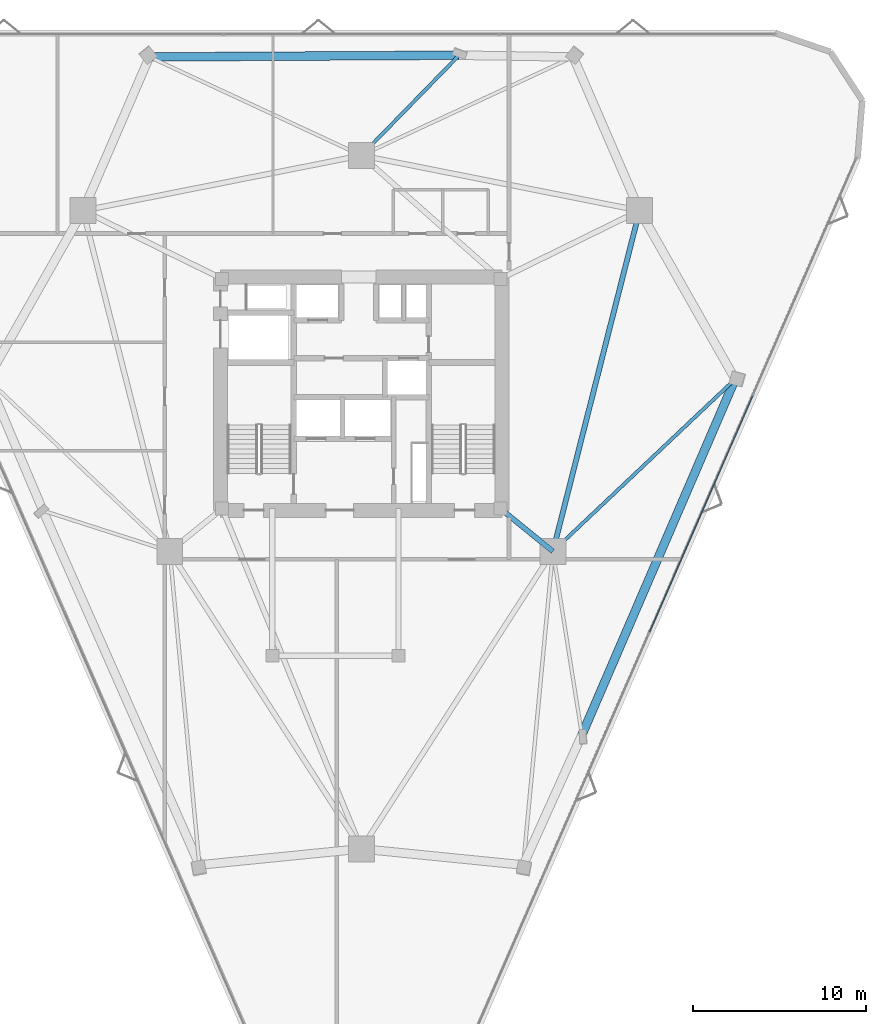
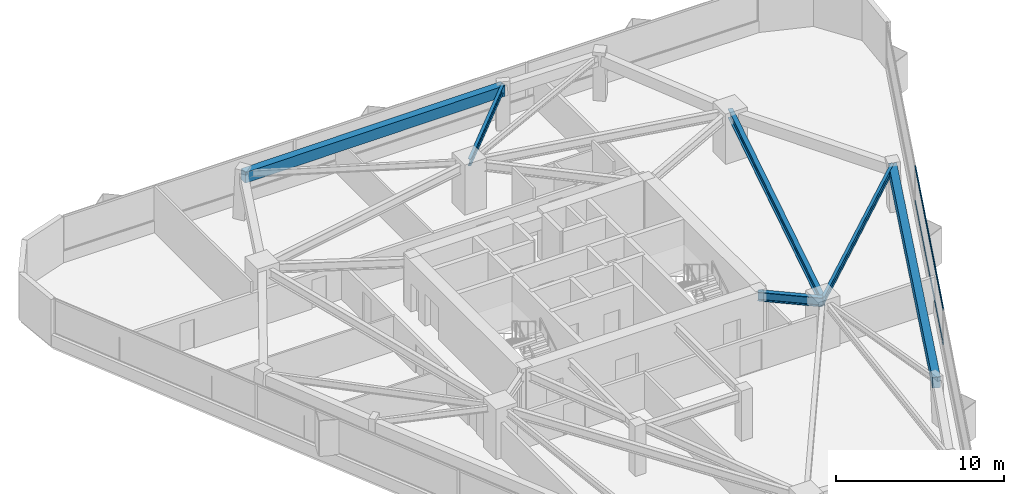
# One storey, part 6 of 14: 6 beams, 2 members, 1 element without a shape of its own.
"""IFC4 building model written with IfcOpenShell, lengths in metres."""

from ifc_helpers import new_model, si_unit, direction, frame, origin, origin_2d, place, context, subcontext, project, spatial, rectangle, i_section, extrude, material, layer, layer_set, material_profile, profile_set, type_object, element, aggregate, save


model = new_model("IFC4")

# Units and contexts
model_context = context("Model", 3, precision=1e-05, world=origin(), true_north=direction((0.0, 1.0)))
body_context = subcontext(model_context, "Body", "Model", "MODEL_VIEW")
ifc_project = project(units=[si_unit("LENGTHUNIT", "METRE"), si_unit("AREAUNIT", "SQUARE_METRE"), si_unit("VOLUMEUNIT", "CUBIC_METRE"), si_unit("PLANEANGLEUNIT", "RADIAN"), si_unit("MASSUNIT", "GRAM", prefix="KILO")], contexts=[model_context])

# Site, building, storey
site_placement = place(None, origin())
site = spatial("IfcSite", under=ifc_project, at=site_placement, CompositionType="ELEMENT")
building_placement = place(site_placement, origin())
building = spatial("IfcBuilding", under=site, at=building_placement, Name="Talyreon Biosciences Tower", CompositionType="ELEMENT")
storey_placement = place(building_placement, frame((0.0, 0.0, 141.800048828125)))
storey = spatial("IfcBuildingStorey", under=building, at=storey_placement, Name="L37", CompositionType="ELEMENT", Elevation=141.800048828125)

# Curtain wall, members
ifc_material_1 = material(Name="Thermally broken aluminium and low-E glazing", Category="aluminium")
ifc_layer = layer(ifc_material_1, 0.18505859375)
ifc_layer_set = layer_set([ifc_layer], Name="Thermally broken aluminium and low-E glazing")
curtain_wall_type = type_object("IfcCurtainWallType", Name="CurtainWall_Zone3Bioprocess", PredefinedType="NOTDEFINED", material=ifc_layer_set)
curtain_wall_placement = place(storey_placement, origin())
curtain_wall = element("IfcCurtainWall", 1, at=curtain_wall_placement, inside=storey, type_object=curtain_wall_type, Name="L37 Unitised Curtain Wall FCW-L37-08", PredefinedType="NOTDEFINED")
ifc_material_2 = material(Name="Anodised thermally broken aluminium", Category="aluminium")
ifc_material_profile_1 = material_profile(ifc_material_2, rectangle(XDim=0.06494140625, YDim=0.139892578125, at=origin_2d()), Name="ALUM TRANSOM 65x140")
ifc_profile_set_1 = profile_set([ifc_material_profile_1], Name="Anodised thermally broken aluminium")
member_type = type_object("IfcMemberType", Name="CWTransom_65x140", PredefinedType="USERDEFINED", material=ifc_profile_set_1)
member_1_placement = place(storey_placement, frame((88.648193359375, 67.880615234375, 0.842529296875), z_axis=(-0.399893696756, -0.916561526192, 0.0), x_axis=(0.916561526192, -0.399893696756, 0.0)))
member_1 = element("IfcMember", 2, at=member_1_placement, type_object=member_type, Name="CW4 transom 2.1", ObjectType="TRANSOM", PredefinedType="USERDEFINED", context=body_context, shape_type="SweptSolid", body=[
    extrude(rectangle(XDim=0.06494140625, YDim=0.139892578125, at=origin_2d()), origin(), (0.0, 0.0, 1.0), 14.9130859375),
])
member_2_placement = place(storey_placement, frame((88.648193359375, 67.880615234375, 3.342529296875), z_axis=(-0.399893696756, -0.916561526192, 0.0), x_axis=(0.916561526192, -0.399893696756, 0.0)))
member_2 = element("IfcMember", 3, at=member_2_placement, type_object=member_type, Name="CW4 transom 2.2", ObjectType="TRANSOM", PredefinedType="USERDEFINED", context=body_context, shape_type="SweptSolid", body=[
    extrude(rectangle(XDim=0.06494140625, YDim=0.139892578125, at=origin_2d()), origin(), (0.0, 0.0, 1.0), 14.9130859375),
])
aggregate(curtain_wall, [member_1, member_2])

# Beams
ifc_material_3 = material(Name="Precast concrete C45/55", Category="concrete")
ifc_material_profile_2 = material_profile(ifc_material_3, rectangle(XDim=0.5, YDim=0.780029296875, at=origin_2d()), Name="RCB 500x780")
ifc_profile_set_2 = profile_set([ifc_material_profile_2], Name="Precast concrete C45/55")
beam_type_1 = type_object("IfcBeamType", Name="ExpressedSpandrel_500x780", PredefinedType="SPANDREL", material=ifc_profile_set_2)
beam_1_placement = place(storey_placement, frame((78.7646484375, 48.260009765625, 2.98486328125), z_axis=(0.395665590549, 0.918394653978, 0.0), x_axis=(-0.918394653978, 0.395665590549, 0.0)))
element("IfcBeam", 4, at=beam_1_placement, inside=storey, type_object=beam_type_1, Name="L37 Expressed Horizontal Concrete Spandrel 03", PredefinedType="SPANDREL", context=body_context, shape_type="SweptSolid", body=[
    extrude(rectangle(XDim=0.5, YDim=0.780029296875, at=origin_2d()), origin(), (0.0, 0.0, 1.0), 22.4150390625),
])
beam_2_placement = place(storey_placement, frame((71.6591796875, 87.591552734375, 2.98486328125), z_axis=(-0.99998447773, -0.005571741045, 0.0), x_axis=(0.005571741045, -0.99998447773, 0.0)))
element("IfcBeam", 5, at=beam_2_placement, inside=storey, type_object=beam_type_1, Name="L37 Expressed Horizontal Concrete Spandrel 07", PredefinedType="SPANDREL", context=body_context, shape_type="SweptSolid", body=[
    extrude(rectangle(XDim=0.5, YDim=0.780029296875, at=origin_2d()), origin(), (0.0, 0.0, 1.0), 17.92138671875),
])
ifc_material_4 = material(Name="Steel SM355", Category="steel")
ifc_material_profile_3 = material_profile(ifc_material_4, i_section(OverallWidth=0.300048828125, OverallDepth=0.64990234375, WebThickness=0.01611328125, FlangeThickness=0.031005859375, FilletRadius=0.027099609375, at=origin_2d()), Name="HE650B")
ifc_profile_set_3 = profile_set([ifc_material_profile_3], Name="Steel SM355")
beam_type_2 = type_object("IfcBeamType", Name="SteelBeam_HE650B", PredefinedType="BEAM", material=ifc_profile_set_3)
beam_3_placement = place(storey_placement, frame((77.086181640625, 58.88037109375, 3.050048828125), z_axis=(0.246537082299, 0.969133358755, 0.0), x_axis=(-0.969133358755, 0.246537082299, 0.0)))
element("IfcBeam", 6, at=beam_3_placement, inside=storey, type_object=beam_type_2, Name="L37 Mega-Ring Girder 2", PredefinedType="BEAM", context=body_context, shape_type="SweptSolid", body=[
    extrude(i_section(OverallWidth=0.300048828125, OverallDepth=0.64990234375, WebThickness=0.01611328125, FlangeThickness=0.031005859375, FilletRadius=0.027099609375, at=origin_2d()), origin(), (0.0, 0.0, 1.0), 20.34619140625),
])
beam_4_placement = place(storey_placement, frame((74.050048828125, 61.35009765625, 3.050048828125), z_axis=(0.775755154013, -0.631034025249, 0.0), x_axis=(0.631034025249, 0.775755154013, 0.0)))
element("IfcBeam", 7, at=beam_4_placement, inside=storey, type_object=beam_type_2, Name="L37 Radial Primary Girder 2", PredefinedType="BEAM", context=body_context, shape_type="SweptSolid", body=[
    extrude(i_section(OverallWidth=0.300048828125, OverallDepth=0.64990234375, WebThickness=0.01611328125, FlangeThickness=0.031005859375, FilletRadius=0.027099609375, at=origin_2d()), origin(), (0.0, 0.0, 1.0), 3.913818359375),
])
ifc_material_profile_4 = material_profile(ifc_material_4, i_section(OverallWidth=0.199951171875, OverallDepth=0.5, WebThickness=0.01025390625, FlangeThickness=0.01611328125, FilletRadius=0.02099609375, at=origin_2d()), Name="IPE500")
ifc_profile_set_4 = profile_set([ifc_material_profile_4], Name="Steel SM355")
beam_type_3 = type_object("IfcBeamType", Name="SteelJoist_IPE500", PredefinedType="JOIST", material=ifc_profile_set_4)
beam_5_placement = place(storey_placement, frame((77.086181640625, 58.88037109375, 3.125), z_axis=(0.726869425063, 0.686775683108, 0.0), x_axis=(-0.686775683108, 0.726869425063, 0.0)))
element("IfcBeam", 8, at=beam_5_placement, inside=storey, type_object=beam_type_3, Name="L37 Radial Composite Floor Joist PC-SE2", PredefinedType="JOIST", context=body_context, shape_type="SweptSolid", body=[
    extrude(i_section(OverallWidth=0.199951171875, OverallDepth=0.5, WebThickness=0.01025390625, FlangeThickness=0.01611328125, FilletRadius=0.02099609375, at=origin_2d()), origin(), (0.0, 0.0, 1.0), 14.5107421875),
])
beam_6_placement = place(storey_placement, frame((66.0, 81.788818359375, 3.125), z_axis=(0.698195867315, 0.715906789229, 0.0), x_axis=(-0.715906789229, 0.698195867315, 0.0)))
element("IfcBeam", 9, at=beam_6_placement, inside=storey, type_object=beam_type_3, Name="L37 Radial Composite Floor Joist PL-N", PredefinedType="JOIST", context=body_context, shape_type="SweptSolid", body=[
    extrude(i_section(OverallWidth=0.199951171875, OverallDepth=0.5, WebThickness=0.01025390625, FlangeThickness=0.01611328125, FilletRadius=0.02099609375, at=origin_2d()), origin(), (0.0, 0.0, 1.0), 8.10546875),
])

save(model, "model.ifc")
